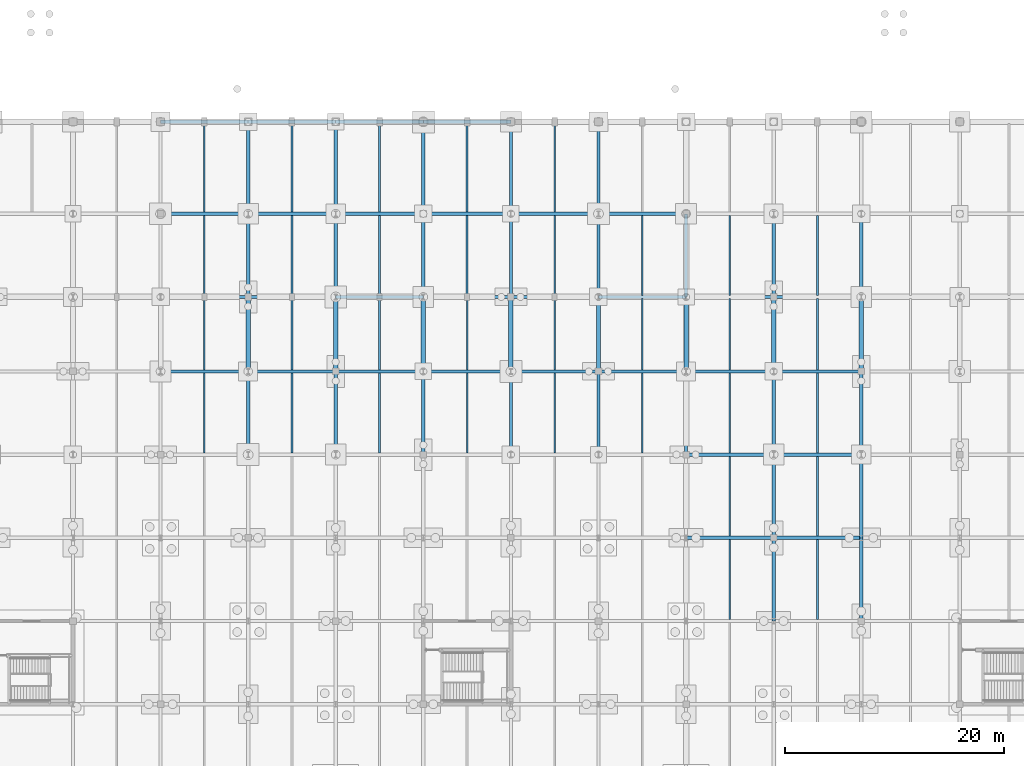
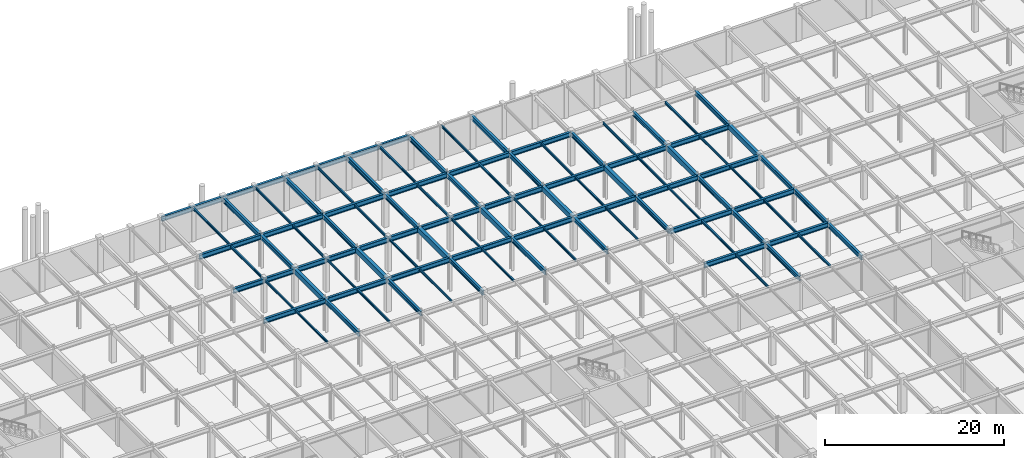
# One storey, part 34 of 53: 96 beams.
"""IFC4 building model written with IfcOpenShell, lengths in metres."""

from ifc_helpers import new_model, si_unit, direction, frame, origin, origin_2d, place, context, subcontext, project, spatial, rectangle, i_section, extrude, material, material_profile, profile_set, type_object, element, save


model = new_model("IFC4")

# Units and contexts
model_context = context("Model", 3, precision=1e-05, world=origin(), true_north=direction((0.0, 1.0)))
body_context = subcontext(model_context, "Body", "Model", "MODEL_VIEW")
ifc_project = project(units=[si_unit("LENGTHUNIT", "METRE"), si_unit("AREAUNIT", "SQUARE_METRE"), si_unit("VOLUMEUNIT", "CUBIC_METRE"), si_unit("PLANEANGLEUNIT", "RADIAN"), si_unit("MASSUNIT", "GRAM", prefix="KILO")], contexts=[model_context])

# Site, building, storey
site_placement = place(None, origin())
site = spatial("IfcSite", under=ifc_project, at=site_placement, CompositionType="ELEMENT")
building_placement = place(site_placement, origin())
building = spatial("IfcBuilding", under=site, at=building_placement, Name="Shalkamar Park Central Library", CompositionType="ELEMENT")
storey_placement = place(building_placement, frame((0.0, 0.0, -4.800048828125)))
storey = spatial("IfcBuildingStorey", under=building, at=storey_placement, Name="B1", CompositionType="ELEMENT", Elevation=-4.800048828125)

# Beams
ifc_material_1 = material(Name="Steel S355", Category="steel")
ifc_material_profile_1 = material_profile(ifc_material_1, i_section(OverallWidth=0.14990234375, OverallDepth=0.300048828125, WebThickness=0.007080078125, FlangeThickness=0.0107421875, FilletRadius=0.014892578125, at=origin_2d()), Name="IPE 300")
ifc_profile_set_1 = profile_set([ifc_material_profile_1], Name="Steel S355")
beam_type_1 = type_object("IfcBeamType", Name="Composite Floor Joist IPE300", PredefinedType="JOIST", material=ifc_profile_set_1)
beam_1_placement = place(storey_placement, frame((177.0, 323.748046875, 4.360107421875), z_axis=(0.0, 1.0, 0.0), x_axis=(-1.0, 0.0, 0.0)))
element("IfcBeam", 1, at=beam_1_placement, inside=storey, type_object=beam_type_1, Name="Composite Joist 08/M-1 (B1)", PredefinedType="JOIST", context=body_context, shape_type="SweptSolid", body=[
    extrude(i_section(OverallWidth=0.14990234375, OverallDepth=0.300048828125, WebThickness=0.007080078125, FlangeThickness=0.0107421875, FilletRadius=0.014892578125, at=origin_2d()), origin(), (0.0, 0.0, 1.0), 7.303955078125),
])
beam_2_placement = place(storey_placement, frame((177.0, 331.347900390625, 4.360107421875), z_axis=(0.0, 1.0, 0.0), x_axis=(-1.0, 0.0, 0.0)))
element("IfcBeam", 2, at=beam_2_placement, inside=storey, type_object=beam_type_1, Name="Composite Joist 08/N-1 (B1)", PredefinedType="JOIST", context=body_context, shape_type="SweptSolid", body=[
    extrude(i_section(OverallWidth=0.14990234375, OverallDepth=0.300048828125, WebThickness=0.007080078125, FlangeThickness=0.0107421875, FilletRadius=0.014892578125, at=origin_2d()), origin(), (0.0, 0.0, 1.0), 6.504150390625),
])
beam_3_placement = place(storey_placement, frame((185.0, 323.748046875, 4.360107421875), z_axis=(0.0, 1.0, 0.0), x_axis=(-1.0, 0.0, 0.0)))
element("IfcBeam", 3, at=beam_3_placement, inside=storey, type_object=beam_type_1, Name="Composite Joist 09/M-1 (B1)", PredefinedType="JOIST", context=body_context, shape_type="SweptSolid", body=[
    extrude(i_section(OverallWidth=0.14990234375, OverallDepth=0.300048828125, WebThickness=0.007080078125, FlangeThickness=0.0107421875, FilletRadius=0.014892578125, at=origin_2d()), origin(), (0.0, 0.0, 1.0), 7.303955078125),
])
beam_4_placement = place(storey_placement, frame((185.0, 331.347900390625, 4.360107421875), z_axis=(0.0, 1.0, 0.0), x_axis=(-1.0, 0.0, 0.0)))
element("IfcBeam", 4, at=beam_4_placement, inside=storey, type_object=beam_type_1, Name="Composite Joist 09/N-1 (B1)", PredefinedType="JOIST", context=body_context, shape_type="SweptSolid", body=[
    extrude(i_section(OverallWidth=0.14990234375, OverallDepth=0.300048828125, WebThickness=0.007080078125, FlangeThickness=0.0107421875, FilletRadius=0.014892578125, at=origin_2d()), origin(), (0.0, 0.0, 1.0), 6.504150390625),
])
beam_5_placement = place(storey_placement, frame((193.0, 323.748046875, 4.360107421875), z_axis=(0.0, 1.0, 0.0), x_axis=(-1.0, 0.0, 0.0)))
element("IfcBeam", 5, at=beam_5_placement, inside=storey, type_object=beam_type_1, Name="Composite Joist 10/M-1 (B1)", PredefinedType="JOIST", context=body_context, shape_type="SweptSolid", body=[
    extrude(i_section(OverallWidth=0.14990234375, OverallDepth=0.300048828125, WebThickness=0.007080078125, FlangeThickness=0.0107421875, FilletRadius=0.014892578125, at=origin_2d()), origin(), (0.0, 0.0, 1.0), 7.303955078125),
])
beam_6_placement = place(storey_placement, frame((193.0, 331.347900390625, 4.360107421875), z_axis=(0.0, 1.0, 0.0), x_axis=(-1.0, 0.0, 0.0)))
element("IfcBeam", 6, at=beam_6_placement, inside=storey, type_object=beam_type_1, Name="Composite Joist 10/N-1 (B1)", PredefinedType="JOIST", context=body_context, shape_type="SweptSolid", body=[
    extrude(i_section(OverallWidth=0.14990234375, OverallDepth=0.300048828125, WebThickness=0.007080078125, FlangeThickness=0.0107421875, FilletRadius=0.014892578125, at=origin_2d()), origin(), (0.0, 0.0, 1.0), 6.504150390625),
])
beam_7_placement = place(storey_placement, frame((201.0, 323.748046875, 4.360107421875), z_axis=(0.0, 1.0, 0.0), x_axis=(-1.0, 0.0, 0.0)))
element("IfcBeam", 7, at=beam_7_placement, inside=storey, type_object=beam_type_1, Name="Composite Joist 11/M-1 (B1)", PredefinedType="JOIST", context=body_context, shape_type="SweptSolid", body=[
    extrude(i_section(OverallWidth=0.14990234375, OverallDepth=0.300048828125, WebThickness=0.007080078125, FlangeThickness=0.0107421875, FilletRadius=0.014892578125, at=origin_2d()), origin(), (0.0, 0.0, 1.0), 7.303955078125),
])
beam_8_placement = place(storey_placement, frame((201.0, 331.347900390625, 4.360107421875), z_axis=(0.0, 1.0, 0.0), x_axis=(-1.0, 0.0, 0.0)))
element("IfcBeam", 8, at=beam_8_placement, inside=storey, type_object=beam_type_1, Name="Composite Joist 11/N-1 (B1)", PredefinedType="JOIST", context=body_context, shape_type="SweptSolid", body=[
    extrude(i_section(OverallWidth=0.14990234375, OverallDepth=0.300048828125, WebThickness=0.007080078125, FlangeThickness=0.0107421875, FilletRadius=0.014892578125, at=origin_2d()), origin(), (0.0, 0.0, 1.0), 6.504150390625),
])
beam_9_placement = place(storey_placement, frame((209.0, 323.748046875, 4.360107421875), z_axis=(0.0, 1.0, 0.0), x_axis=(-1.0, 0.0, 0.0)))
element("IfcBeam", 9, at=beam_9_placement, inside=storey, type_object=beam_type_1, Name="Composite Joist 12/M-1 (B1)", PredefinedType="JOIST", context=body_context, shape_type="SweptSolid", body=[
    extrude(i_section(OverallWidth=0.14990234375, OverallDepth=0.300048828125, WebThickness=0.007080078125, FlangeThickness=0.0107421875, FilletRadius=0.014892578125, at=origin_2d()), origin(), (0.0, 0.0, 1.0), 7.303955078125),
])
beam_10_placement = place(storey_placement, frame((209.0, 331.347900390625, 4.360107421875), z_axis=(0.0, 1.0, 0.0), x_axis=(-1.0, 0.0, 0.0)))
element("IfcBeam", 10, at=beam_10_placement, inside=storey, type_object=beam_type_1, Name="Composite Joist 12/N-1 (B1)", PredefinedType="JOIST", context=body_context, shape_type="SweptSolid", body=[
    extrude(i_section(OverallWidth=0.14990234375, OverallDepth=0.300048828125, WebThickness=0.007080078125, FlangeThickness=0.0107421875, FilletRadius=0.014892578125, at=origin_2d()), origin(), (0.0, 0.0, 1.0), 6.504150390625),
])
beam_11_placement = place(storey_placement, frame((217.0, 323.748046875, 4.360107421875), z_axis=(0.0, 1.0, 0.0), x_axis=(-1.0, 0.0, 0.0)))
element("IfcBeam", 11, at=beam_11_placement, inside=storey, type_object=beam_type_1, Name="Composite Joist 13/M-1 (B1)", PredefinedType="JOIST", context=body_context, shape_type="SweptSolid", body=[
    extrude(i_section(OverallWidth=0.14990234375, OverallDepth=0.300048828125, WebThickness=0.007080078125, FlangeThickness=0.0107421875, FilletRadius=0.014892578125, at=origin_2d()), origin(), (0.0, 0.0, 1.0), 7.303955078125),
])
beam_12_placement = place(storey_placement, frame((217.0, 331.347900390625, 4.360107421875), z_axis=(0.0, 1.0, 0.0), x_axis=(-1.0, 0.0, 0.0)))
element("IfcBeam", 12, at=beam_12_placement, inside=storey, type_object=beam_type_1, Name="Composite Joist 13/N-1 (B1)", PredefinedType="JOIST", context=body_context, shape_type="SweptSolid", body=[
    extrude(i_section(OverallWidth=0.14990234375, OverallDepth=0.300048828125, WebThickness=0.007080078125, FlangeThickness=0.0107421875, FilletRadius=0.014892578125, at=origin_2d()), origin(), (0.0, 0.0, 1.0), 6.504150390625),
])
beam_13_placement = place(storey_placement, frame((225.0, 323.748046875, 4.360107421875), z_axis=(0.0, 1.0, 0.0), x_axis=(-1.0, 0.0, 0.0)))
element("IfcBeam", 13, at=beam_13_placement, inside=storey, type_object=beam_type_1, Name="Composite Joist 14/M-1 (B1)", PredefinedType="JOIST", context=body_context, shape_type="SweptSolid", body=[
    extrude(i_section(OverallWidth=0.14990234375, OverallDepth=0.300048828125, WebThickness=0.007080078125, FlangeThickness=0.0107421875, FilletRadius=0.014892578125, at=origin_2d()), origin(), (0.0, 0.0, 1.0), 7.303955078125),
])
beam_14_placement = place(storey_placement, frame((225.0, 331.347900390625, 4.360107421875), z_axis=(0.0, 1.0, 0.0), x_axis=(-1.0, 0.0, 0.0)))
element("IfcBeam", 14, at=beam_14_placement, inside=storey, type_object=beam_type_1, Name="Composite Joist 14/N-1 (B1)", PredefinedType="JOIST", context=body_context, shape_type="SweptSolid", body=[
    extrude(i_section(OverallWidth=0.14990234375, OverallDepth=0.300048828125, WebThickness=0.007080078125, FlangeThickness=0.0107421875, FilletRadius=0.014892578125, at=origin_2d()), origin(), (0.0, 0.0, 1.0), 6.504150390625),
])
beam_15_placement = place(storey_placement, frame((233.0, 323.748046875, 4.360107421875), z_axis=(0.0, 1.0, 0.0), x_axis=(-1.0, 0.0, 0.0)))
element("IfcBeam", 15, at=beam_15_placement, inside=storey, type_object=beam_type_1, Name="Composite Joist 15/M-1 (B1)", PredefinedType="JOIST", context=body_context, shape_type="SweptSolid", body=[
    extrude(i_section(OverallWidth=0.14990234375, OverallDepth=0.300048828125, WebThickness=0.007080078125, FlangeThickness=0.0107421875, FilletRadius=0.014892578125, at=origin_2d()), origin(), (0.0, 0.0, 1.0), 7.303955078125),
])
beam_16_placement = place(storey_placement, frame((233.0, 331.347900390625, 4.360107421875), z_axis=(0.0, 1.0, 0.0), x_axis=(-1.0, 0.0, 0.0)))
element("IfcBeam", 16, at=beam_16_placement, inside=storey, type_object=beam_type_1, Name="Composite Joist 15/N-1 (B1)", PredefinedType="JOIST", context=body_context, shape_type="SweptSolid", body=[
    extrude(i_section(OverallWidth=0.14990234375, OverallDepth=0.300048828125, WebThickness=0.007080078125, FlangeThickness=0.0107421875, FilletRadius=0.014892578125, at=origin_2d()), origin(), (0.0, 0.0, 1.0), 6.504150390625),
])
ifc_material_profile_2 = material_profile(ifc_material_1, i_section(OverallWidth=0.159912109375, OverallDepth=0.330078125, WebThickness=0.007568359375, FlangeThickness=0.011474609375, FilletRadius=0.01806640625, at=origin_2d()), Name="IPE 330")
ifc_profile_set_2 = profile_set([ifc_material_profile_2], Name="Steel S355")
beam_type_2 = type_object("IfcBeamType", Name="Composite Floor Joist IPE330", PredefinedType="JOIST", material=ifc_profile_set_2)
beam_17_placement = place(storey_placement, frame((177.0, 338.14794921875, 4.344970703125), z_axis=(0.0, 1.0, 0.0), x_axis=(-1.0, 0.0, 0.0)))
element("IfcBeam", 17, at=beam_17_placement, inside=storey, type_object=beam_type_2, Name="Composite Joist 08/P-1 (B1)", PredefinedType="JOIST", context=body_context, shape_type="SweptSolid", body=[
    extrude(i_section(OverallWidth=0.159912109375, OverallDepth=0.330078125, WebThickness=0.007568359375, FlangeThickness=0.011474609375, FilletRadius=0.01806640625, at=origin_2d()), origin(), (0.0, 0.0, 1.0), 7.303955078125),
])
beam_18_placement = place(storey_placement, frame((177.0, 345.748046875, 4.455078125), z_axis=(0.0, 1.0, 0.0), x_axis=(-1.0, 0.0, 0.0)))
element("IfcBeam", 18, at=beam_18_placement, inside=storey, type_object=beam_type_2, Name="Composite Joist 08/Q-1 (B1)", PredefinedType="JOIST", context=body_context, shape_type="SweptSolid", body=[
    extrude(i_section(OverallWidth=0.159912109375, OverallDepth=0.330078125, WebThickness=0.007568359375, FlangeThickness=0.011474609375, FilletRadius=0.01806640625, at=origin_2d()), origin(), (0.0, 0.0, 1.0), 8.10400390625),
])
beam_19_placement = place(storey_placement, frame((185.0, 338.14794921875, 4.344970703125), z_axis=(0.0, 1.0, 0.0), x_axis=(-1.0, 0.0, 0.0)))
element("IfcBeam", 19, at=beam_19_placement, inside=storey, type_object=beam_type_2, Name="Composite Joist 09/P-1 (B1)", PredefinedType="JOIST", context=body_context, shape_type="SweptSolid", body=[
    extrude(i_section(OverallWidth=0.159912109375, OverallDepth=0.330078125, WebThickness=0.007568359375, FlangeThickness=0.011474609375, FilletRadius=0.01806640625, at=origin_2d()), origin(), (0.0, 0.0, 1.0), 7.303955078125),
])
beam_20_placement = place(storey_placement, frame((185.0, 345.748046875, 4.455078125), z_axis=(0.0, 1.0, 0.0), x_axis=(-1.0, 0.0, 0.0)))
element("IfcBeam", 20, at=beam_20_placement, inside=storey, type_object=beam_type_2, Name="Composite Joist 09/Q-1 (B1)", PredefinedType="JOIST", context=body_context, shape_type="SweptSolid", body=[
    extrude(i_section(OverallWidth=0.159912109375, OverallDepth=0.330078125, WebThickness=0.007568359375, FlangeThickness=0.011474609375, FilletRadius=0.01806640625, at=origin_2d()), origin(), (0.0, 0.0, 1.0), 8.10400390625),
])
beam_21_placement = place(storey_placement, frame((193.0, 338.14794921875, 4.344970703125), z_axis=(0.0, 1.0, 0.0), x_axis=(-1.0, 0.0, 0.0)))
element("IfcBeam", 21, at=beam_21_placement, inside=storey, type_object=beam_type_2, Name="Composite Joist 10/P-1 (B1)", PredefinedType="JOIST", context=body_context, shape_type="SweptSolid", body=[
    extrude(i_section(OverallWidth=0.159912109375, OverallDepth=0.330078125, WebThickness=0.007568359375, FlangeThickness=0.011474609375, FilletRadius=0.01806640625, at=origin_2d()), origin(), (0.0, 0.0, 1.0), 7.303955078125),
])
beam_22_placement = place(storey_placement, frame((193.0, 345.748046875, 4.455078125), z_axis=(0.0, 1.0, 0.0), x_axis=(-1.0, 0.0, 0.0)))
element("IfcBeam", 22, at=beam_22_placement, inside=storey, type_object=beam_type_2, Name="Composite Joist 10/Q-1 (B1)", PredefinedType="JOIST", context=body_context, shape_type="SweptSolid", body=[
    extrude(i_section(OverallWidth=0.159912109375, OverallDepth=0.330078125, WebThickness=0.007568359375, FlangeThickness=0.011474609375, FilletRadius=0.01806640625, at=origin_2d()), origin(), (0.0, 0.0, 1.0), 8.10400390625),
])
beam_23_placement = place(storey_placement, frame((201.0, 338.14794921875, 4.344970703125), z_axis=(0.0, 1.0, 0.0), x_axis=(-1.0, 0.0, 0.0)))
element("IfcBeam", 23, at=beam_23_placement, inside=storey, type_object=beam_type_2, Name="Composite Joist 11/P-1 (B1)", PredefinedType="JOIST", context=body_context, shape_type="SweptSolid", body=[
    extrude(i_section(OverallWidth=0.159912109375, OverallDepth=0.330078125, WebThickness=0.007568359375, FlangeThickness=0.011474609375, FilletRadius=0.01806640625, at=origin_2d()), origin(), (0.0, 0.0, 1.0), 7.303955078125),
])
beam_24_placement = place(storey_placement, frame((201.0, 345.748046875, 4.455078125), z_axis=(0.0, 1.0, 0.0), x_axis=(-1.0, 0.0, 0.0)))
element("IfcBeam", 24, at=beam_24_placement, inside=storey, type_object=beam_type_2, Name="Composite Joist 11/Q-1 (B1)", PredefinedType="JOIST", context=body_context, shape_type="SweptSolid", body=[
    extrude(i_section(OverallWidth=0.159912109375, OverallDepth=0.330078125, WebThickness=0.007568359375, FlangeThickness=0.011474609375, FilletRadius=0.01806640625, at=origin_2d()), origin(), (0.0, 0.0, 1.0), 8.10400390625),
])
beam_25_placement = place(storey_placement, frame((209.0, 338.14794921875, 4.344970703125), z_axis=(0.0, 1.0, 0.0), x_axis=(-1.0, 0.0, 0.0)))
element("IfcBeam", 25, at=beam_25_placement, inside=storey, type_object=beam_type_2, Name="Composite Joist 12/P-1 (B1)", PredefinedType="JOIST", context=body_context, shape_type="SweptSolid", body=[
    extrude(i_section(OverallWidth=0.159912109375, OverallDepth=0.330078125, WebThickness=0.007568359375, FlangeThickness=0.011474609375, FilletRadius=0.01806640625, at=origin_2d()), origin(), (0.0, 0.0, 1.0), 7.303955078125),
])
beam_26_placement = place(storey_placement, frame((209.0, 345.748046875, 4.455078125), z_axis=(0.0, 1.0, 0.0), x_axis=(-1.0, 0.0, 0.0)))
element("IfcBeam", 26, at=beam_26_placement, inside=storey, type_object=beam_type_2, Name="Composite Joist 12/Q-1 (B1)", PredefinedType="JOIST", context=body_context, shape_type="SweptSolid", body=[
    extrude(i_section(OverallWidth=0.159912109375, OverallDepth=0.330078125, WebThickness=0.007568359375, FlangeThickness=0.011474609375, FilletRadius=0.01806640625, at=origin_2d()), origin(), (0.0, 0.0, 1.0), 8.10400390625),
])
for number, where, z_axis, x_axis, name in (
    (27, (217.0, 338.14794921875, 4.344970703125), (0.0, 1.0, 0.0), (-1.0, 0.0, 0.0), "Composite Joist 13/P-1 (B1)"),
    (28, (225.0, 308.548095703125, 4.344970703125), (0.0, 1.0, 0.0), (-1.0, 0.0, 0.0), "Composite Joist 14/K-1 (B1)"),
    (29, (225.0, 316.14794921875, 4.344970703125), (0.0, 1.0, 0.0), (-1.0, 0.0, 0.0), "Composite Joist 14/L-1 (B1)"),
    (30, (225.0, 338.14794921875, 4.344970703125), (0.0, 1.0, 0.0), (-1.0, 0.0, 0.0), "Composite Joist 14/P-1 (B1)"),
    (31, (233.0, 308.548095703125, 4.344970703125), (0.0, 1.0, 0.0), (-1.0, 0.0, 0.0), "Composite Joist 15/K-1 (B1)"),
    (32, (233.0, 316.14794921875, 4.344970703125), (0.0, 1.0, 0.0), (-1.0, 0.0, 0.0), "Composite Joist 15/L-1 (B1)"),
    (33, (233.0, 338.14794921875, 4.344970703125), (0.0, 1.0, 0.0), (-1.0, 0.0, 0.0), "Composite Joist 15/P-1 (B1)"),
):
    element("IfcBeam", number, at=place(storey_placement, frame(where, z_axis=z_axis, x_axis=x_axis)), inside=storey, type_object=beam_type_2, Name=name, PredefinedType="JOIST", context=body_context, shape_type="SweptSolid", body=[
        extrude(i_section(OverallWidth=0.159912109375, OverallDepth=0.330078125, WebThickness=0.007568359375, FlangeThickness=0.011474609375, FilletRadius=0.01806640625, at=origin_2d()), origin(), (0.0, 0.0, 1.0), 7.303955078125),
    ])
ifc_material_profile_3 = material_profile(ifc_material_1, i_section(OverallWidth=0.300048828125, OverallDepth=0.60009765625, WebThickness=0.015380859375, FlangeThickness=0.030029296875, FilletRadius=0.027099609375, at=origin_2d()), Name="HEB 600")
ifc_profile_set_3 = profile_set([ifc_material_profile_3], Name="Steel S355")
beam_type_3 = type_object("IfcBeamType", Name="Primary Girder HEB600", PredefinedType="BEAM", material=ifc_profile_set_3)
beam_27_placement = place(storey_placement, frame((181.0, 323.60009765625, 4.2099609375), z_axis=(0.0, 1.0, 0.0), x_axis=(-1.0, 0.0, 0.0)))
element("IfcBeam", 34, at=beam_27_placement, inside=storey, type_object=beam_type_3, Name="Beam 09:M-N (B1)", PredefinedType="BEAM", context=body_context, shape_type="SweptSolid", body=[
    extrude(i_section(OverallWidth=0.300048828125, OverallDepth=0.60009765625, WebThickness=0.015380859375, FlangeThickness=0.030029296875, FilletRadius=0.027099609375, at=origin_2d()), origin(), (0.0, 0.0, 1.0), 7.599853515625),
])
beam_28_placement = place(storey_placement, frame((181.0, 338.0, 4.2099609375), z_axis=(0.0, 1.0, 0.0), x_axis=(-1.0, 0.0, 0.0)))
element("IfcBeam", 35, at=beam_28_placement, inside=storey, type_object=beam_type_3, Name="Beam 09:P-Q (B1)", PredefinedType="BEAM", context=body_context, shape_type="SweptSolid", body=[
    extrude(i_section(OverallWidth=0.300048828125, OverallDepth=0.60009765625, WebThickness=0.015380859375, FlangeThickness=0.030029296875, FilletRadius=0.027099609375, at=origin_2d()), origin(), (0.0, 0.0, 1.0), 7.60009765625),
])
beam_29_placement = place(storey_placement, frame((189.0, 323.60009765625, 4.2099609375), z_axis=(0.0, 1.0, 0.0), x_axis=(-1.0, 0.0, 0.0)))
element("IfcBeam", 36, at=beam_29_placement, inside=storey, type_object=beam_type_3, Name="Beam 10:M-N (B1)", PredefinedType="BEAM", context=body_context, shape_type="SweptSolid", body=[
    extrude(i_section(OverallWidth=0.300048828125, OverallDepth=0.60009765625, WebThickness=0.015380859375, FlangeThickness=0.030029296875, FilletRadius=0.027099609375, at=origin_2d()), origin(), (0.0, 0.0, 1.0), 7.599853515625),
])
beam_30_placement = place(storey_placement, frame((189.0, 338.0, 4.2099609375), z_axis=(0.0, 1.0, 0.0), x_axis=(-1.0, 0.0, 0.0)))
element("IfcBeam", 37, at=beam_30_placement, inside=storey, type_object=beam_type_3, Name="Beam 10:P-Q (B1)", PredefinedType="BEAM", context=body_context, shape_type="SweptSolid", body=[
    extrude(i_section(OverallWidth=0.300048828125, OverallDepth=0.60009765625, WebThickness=0.015380859375, FlangeThickness=0.030029296875, FilletRadius=0.027099609375, at=origin_2d()), origin(), (0.0, 0.0, 1.0), 7.60009765625),
])
beam_31_placement = place(storey_placement, frame((197.0, 323.60009765625, 4.2099609375), z_axis=(0.0, 1.0, 0.0), x_axis=(-1.0, 0.0, 0.0)))
element("IfcBeam", 38, at=beam_31_placement, inside=storey, type_object=beam_type_3, Name="Beam 11:M-N (B1)", PredefinedType="BEAM", context=body_context, shape_type="SweptSolid", body=[
    extrude(i_section(OverallWidth=0.300048828125, OverallDepth=0.60009765625, WebThickness=0.015380859375, FlangeThickness=0.030029296875, FilletRadius=0.027099609375, at=origin_2d()), origin(), (0.0, 0.0, 1.0), 7.599853515625),
])
beam_32_placement = place(storey_placement, frame((197.0, 338.0, 4.2099609375), z_axis=(0.0, 1.0, 0.0), x_axis=(-1.0, 0.0, 0.0)))
element("IfcBeam", 39, at=beam_32_placement, inside=storey, type_object=beam_type_3, Name="Beam 11:P-Q (B1)", PredefinedType="BEAM", context=body_context, shape_type="SweptSolid", body=[
    extrude(i_section(OverallWidth=0.300048828125, OverallDepth=0.60009765625, WebThickness=0.015380859375, FlangeThickness=0.030029296875, FilletRadius=0.027099609375, at=origin_2d()), origin(), (0.0, 0.0, 1.0), 7.60009765625),
])
beam_33_placement = place(storey_placement, frame((205.0, 323.60009765625, 4.2099609375), z_axis=(0.0, 1.0, 0.0), x_axis=(-1.0, 0.0, 0.0)))
element("IfcBeam", 40, at=beam_33_placement, inside=storey, type_object=beam_type_3, Name="Beam 12:M-N (B1)", PredefinedType="BEAM", context=body_context, shape_type="SweptSolid", body=[
    extrude(i_section(OverallWidth=0.300048828125, OverallDepth=0.60009765625, WebThickness=0.015380859375, FlangeThickness=0.030029296875, FilletRadius=0.027099609375, at=origin_2d()), origin(), (0.0, 0.0, 1.0), 7.599853515625),
])
beam_34_placement = place(storey_placement, frame((205.0, 338.0, 4.2099609375), z_axis=(0.0, 1.0, 0.0), x_axis=(-1.0, 0.0, 0.0)))
element("IfcBeam", 41, at=beam_34_placement, inside=storey, type_object=beam_type_3, Name="Beam 12:P-Q (B1)", PredefinedType="BEAM", context=body_context, shape_type="SweptSolid", body=[
    extrude(i_section(OverallWidth=0.300048828125, OverallDepth=0.60009765625, WebThickness=0.015380859375, FlangeThickness=0.030029296875, FilletRadius=0.027099609375, at=origin_2d()), origin(), (0.0, 0.0, 1.0), 7.60009765625),
])
beam_35_placement = place(storey_placement, frame((213.0, 323.60009765625, 4.2099609375), z_axis=(0.0, 1.0, 0.0), x_axis=(-1.0, 0.0, 0.0)))
element("IfcBeam", 42, at=beam_35_placement, inside=storey, type_object=beam_type_3, Name="Beam 13:M-N (B1)", PredefinedType="BEAM", context=body_context, shape_type="SweptSolid", body=[
    extrude(i_section(OverallWidth=0.300048828125, OverallDepth=0.60009765625, WebThickness=0.015380859375, FlangeThickness=0.030029296875, FilletRadius=0.027099609375, at=origin_2d()), origin(), (0.0, 0.0, 1.0), 7.599853515625),
])
beam_36_placement = place(storey_placement, frame((213.0, 338.0, 4.2099609375), z_axis=(0.0, 1.0, 0.0), x_axis=(-1.0, 0.0, 0.0)))
element("IfcBeam", 43, at=beam_36_placement, inside=storey, type_object=beam_type_3, Name="Beam 13:P-Q (B1)", PredefinedType="BEAM", context=body_context, shape_type="SweptSolid", body=[
    extrude(i_section(OverallWidth=0.300048828125, OverallDepth=0.60009765625, WebThickness=0.015380859375, FlangeThickness=0.030029296875, FilletRadius=0.027099609375, at=origin_2d()), origin(), (0.0, 0.0, 1.0), 7.60009765625),
])
beam_37_placement = place(storey_placement, frame((221.0, 323.60009765625, 4.2099609375), z_axis=(0.0, 1.0, 0.0), x_axis=(-1.0, 0.0, 0.0)))
element("IfcBeam", 44, at=beam_37_placement, inside=storey, type_object=beam_type_3, Name="Beam 14:M-N (B1)", PredefinedType="BEAM", context=body_context, shape_type="SweptSolid", body=[
    extrude(i_section(OverallWidth=0.300048828125, OverallDepth=0.60009765625, WebThickness=0.015380859375, FlangeThickness=0.030029296875, FilletRadius=0.027099609375, at=origin_2d()), origin(), (0.0, 0.0, 1.0), 7.599853515625),
])
for number, where, z_axis, x_axis, name in (
    (45, (221.0, 338.0, 4.2099609375), (0.0, 1.0, 0.0), (-1.0, 0.0, 0.0), "Beam 14:P-Q (B1)"),
    (46, (229.0, 308.39990234375, 4.2099609375), (0.0, 1.0, 0.0), (-1.0, 0.0, 0.0), "Beam 15:K-L (B1)"),
    (47, (229.0, 316.0, 4.2099609375), (0.0, 1.0, 0.0), (-1.0, 0.0, 0.0), "Beam 15:L-M (B1)"),
):
    element("IfcBeam", number, at=place(storey_placement, frame(where, z_axis=z_axis, x_axis=x_axis)), inside=storey, type_object=beam_type_3, Name=name, PredefinedType="BEAM", context=body_context, shape_type="SweptSolid", body=[
        extrude(i_section(OverallWidth=0.300048828125, OverallDepth=0.60009765625, WebThickness=0.015380859375, FlangeThickness=0.030029296875, FilletRadius=0.027099609375, at=origin_2d()), origin(), (0.0, 0.0, 1.0), 7.60009765625),
    ])
beam_38_placement = place(storey_placement, frame((229.0, 323.60009765625, 4.2099609375), z_axis=(0.0, 1.0, 0.0), x_axis=(-1.0, 0.0, 0.0)))
element("IfcBeam", 48, at=beam_38_placement, inside=storey, type_object=beam_type_3, Name="Beam 15:M-N (B1)", PredefinedType="BEAM", context=body_context, shape_type="SweptSolid", body=[
    extrude(i_section(OverallWidth=0.300048828125, OverallDepth=0.60009765625, WebThickness=0.015380859375, FlangeThickness=0.030029296875, FilletRadius=0.027099609375, at=origin_2d()), origin(), (0.0, 0.0, 1.0), 7.599853515625),
])
for number, where, z_axis, x_axis, name in (
    (49, (229.0, 338.0, 4.2099609375), (0.0, 1.0, 0.0), (-1.0, 0.0, 0.0), "Beam 15:P-Q (B1)"),
    (50, (237.0, 308.39990234375, 4.2099609375), (0.0, 1.0, 0.0), (-1.0, 0.0, 0.0), "Beam 16:K-L (B1)"),
    (51, (237.0, 316.0, 4.2099609375), (0.0, 1.0, 0.0), (-1.0, 0.0, 0.0), "Beam 16:L-M (B1)"),
):
    element("IfcBeam", number, at=place(storey_placement, frame(where, z_axis=z_axis, x_axis=x_axis)), inside=storey, type_object=beam_type_3, Name=name, PredefinedType="BEAM", context=body_context, shape_type="SweptSolid", body=[
        extrude(i_section(OverallWidth=0.300048828125, OverallDepth=0.60009765625, WebThickness=0.015380859375, FlangeThickness=0.030029296875, FilletRadius=0.027099609375, at=origin_2d()), origin(), (0.0, 0.0, 1.0), 7.60009765625),
    ])
beam_39_placement = place(storey_placement, frame((237.0, 323.60009765625, 4.2099609375), z_axis=(0.0, 1.0, 0.0), x_axis=(-1.0, 0.0, 0.0)))
element("IfcBeam", 52, at=beam_39_placement, inside=storey, type_object=beam_type_3, Name="Beam 16:M-N (B1)", PredefinedType="BEAM", context=body_context, shape_type="SweptSolid", body=[
    extrude(i_section(OverallWidth=0.300048828125, OverallDepth=0.60009765625, WebThickness=0.015380859375, FlangeThickness=0.030029296875, FilletRadius=0.027099609375, at=origin_2d()), origin(), (0.0, 0.0, 1.0), 7.599853515625),
])
beam_40_placement = place(storey_placement, frame((237.0, 338.0, 4.2099609375), z_axis=(0.0, 1.0, 0.0), x_axis=(-1.0, 0.0, 0.0)))
element("IfcBeam", 53, at=beam_40_placement, inside=storey, type_object=beam_type_3, Name="Beam 16:P-Q (B1)", PredefinedType="BEAM", context=body_context, shape_type="SweptSolid", body=[
    extrude(i_section(OverallWidth=0.300048828125, OverallDepth=0.60009765625, WebThickness=0.015380859375, FlangeThickness=0.030029296875, FilletRadius=0.027099609375, at=origin_2d()), origin(), (0.0, 0.0, 1.0), 7.60009765625),
])
ifc_material_profile_4 = material_profile(ifc_material_1, i_section(OverallWidth=0.300048828125, OverallDepth=0.64990234375, WebThickness=0.01611328125, FlangeThickness=0.031005859375, FilletRadius=0.027099609375, at=origin_2d()), Name="HEB 650")
ifc_profile_set_4 = profile_set([ifc_material_profile_4], Name="Steel S355")
beam_type_4 = type_object("IfcBeamType", Name="Primary Girder HEB650", PredefinedType="BEAM", material=ifc_profile_set_4)
for number, where, z_axis, x_axis, name in (
    (54, (221.0, 316.0, 4.18505859375), (1.0, 0.0, 0.0), (0.0, 1.0, 0.0), "Beam L:14-15 (B1)"),
    (55, (229.0, 316.0, 4.18505859375), (1.0, 0.0, 0.0), (0.0, 1.0, 0.0), "Beam L:15-16 (B1)"),
    (56, (221.0, 323.60009765625, 4.18505859375), (1.0, 0.0, 0.0), (0.0, 1.0, 0.0), "Beam M:14-15 (B1)"),
    (57, (229.0, 323.60009765625, 4.18505859375), (1.0, 0.0, 0.0), (0.0, 1.0, 0.0), "Beam M:15-16 (B1)"),
    (58, (173.0, 331.199951171875, 4.18505859375), (1.0, 0.0, 0.0), (0.0, 1.0, 0.0), "Beam N:08-09 (B1)"),
    (59, (181.0, 331.199951171875, 4.18505859375), (1.0, 0.0, 0.0), (0.0, 1.0, 0.0), "Beam N:09-10 (B1)"),
    (60, (189.0, 331.199951171875, 4.18505859375), (1.0, 0.0, 0.0), (0.0, 1.0, 0.0), "Beam N:10-11 (B1)"),
    (61, (197.0, 331.199951171875, 4.18505859375), (1.0, 0.0, 0.0), (0.0, 1.0, 0.0), "Beam N:11-12 (B1)"),
    (62, (205.0, 331.199951171875, 4.18505859375), (1.0, 0.0, 0.0), (0.0, 1.0, 0.0), "Beam N:12-13 (B1)"),
    (63, (213.0, 331.199951171875, 4.18505859375), (1.0, 0.0, 0.0), (0.0, 1.0, 0.0), "Beam N:13-14 (B1)"),
    (64, (221.0, 331.199951171875, 4.18505859375), (1.0, 0.0, 0.0), (0.0, 1.0, 0.0), "Beam N:14-15 (B1)"),
    (65, (229.0, 331.199951171875, 4.18505859375), (1.0, 0.0, 0.0), (0.0, 1.0, 0.0), "Beam N:15-16 (B1)"),
    (66, (173.0, 338.0, 4.18505859375), (1.0, 0.0, 0.0), (0.0, 1.0, 0.0), "Beam P:08-09 (B1)"),
    (67, (181.0, 338.0, 4.18505859375), (1.0, 0.0, 0.0), (0.0, 1.0, 0.0), "Beam P:09-10 (B1)"),
    (68, (189.0, 338.0, 4.18505859375), (1.0, 0.0, 0.0), (0.0, 1.0, 0.0), "Beam P:10-11 (B1)"),
    (69, (197.0, 338.0, 4.18505859375), (1.0, 0.0, 0.0), (0.0, 1.0, 0.0), "Beam P:11-12 (B1)"),
    (70, (205.0, 338.0, 4.18505859375), (1.0, 0.0, 0.0), (0.0, 1.0, 0.0), "Beam P:12-13 (B1)"),
    (71, (213.0, 338.0, 4.18505859375), (1.0, 0.0, 0.0), (0.0, 1.0, 0.0), "Beam P:13-14 (B1)"),
    (72, (221.0, 338.0, 4.18505859375), (1.0, 0.0, 0.0), (0.0, 1.0, 0.0), "Beam P:14-15 (B1)"),
    (73, (229.0, 338.0, 4.18505859375), (1.0, 0.0, 0.0), (0.0, 1.0, 0.0), "Beam P:15-16 (B1)"),
    (74, (173.0, 345.60009765625, 4.18505859375), (1.0, 0.0, 0.0), (0.0, 1.0, 0.0), "Beam Q:08-09 (B1)"),
    (75, (181.0, 345.60009765625, 4.18505859375), (1.0, 0.0, 0.0), (0.0, 1.0, 0.0), "Beam Q:09-10 (B1)"),
    (76, (189.0, 345.60009765625, 4.18505859375), (1.0, 0.0, 0.0), (0.0, 1.0, 0.0), "Beam Q:10-11 (B1)"),
    (77, (197.0, 345.60009765625, 4.18505859375), (1.0, 0.0, 0.0), (0.0, 1.0, 0.0), "Beam Q:11-12 (B1)"),
    (78, (205.0, 345.60009765625, 4.18505859375), (1.0, 0.0, 0.0), (0.0, 1.0, 0.0), "Beam Q:12-13 (B1)"),
    (79, (213.0, 345.60009765625, 4.18505859375), (1.0, 0.0, 0.0), (0.0, 1.0, 0.0), "Beam Q:13-14 (B1)"),
    (80, (173.0, 354.0, 4.295166015625), (1.0, 0.0, 0.0), (0.0, 1.0, 0.0), "Beam R:08-09 (B1)"),
    (81, (181.0, 354.0, 4.295166015625), (1.0, 0.0, 0.0), (0.0, 1.0, 0.0), "Beam R:09-10 (B1)"),
    (82, (189.0, 354.0, 4.295166015625), (1.0, 0.0, 0.0), (0.0, 1.0, 0.0), "Beam R:10-11 (B1)"),
    (83, (197.0, 354.0, 4.295166015625), (1.0, 0.0, 0.0), (0.0, 1.0, 0.0), "Beam R:11-12 (B1)"),
):
    element("IfcBeam", number, at=place(storey_placement, frame(where, z_axis=z_axis, x_axis=x_axis)), inside=storey, type_object=beam_type_4, Name=name, PredefinedType="BEAM", context=body_context, shape_type="SweptSolid", body=[
        extrude(i_section(OverallWidth=0.300048828125, OverallDepth=0.64990234375, WebThickness=0.01611328125, FlangeThickness=0.031005859375, FilletRadius=0.027099609375, at=origin_2d()), origin(), (0.0, 0.0, 1.0), 8.0),
    ])
for number, where, z_axis, x_axis, name in (
    (84, (181.0, 345.60009765625, 4.18505859375), (0.0, 1.0, 0.0), (-1.0, 0.0, 0.0), "Beam 09:Q-R (B1)"),
    (85, (189.0, 345.60009765625, 4.18505859375), (0.0, 1.0, 0.0), (-1.0, 0.0, 0.0), "Beam 10:Q-R (B1)"),
    (86, (197.0, 345.60009765625, 4.18505859375), (0.0, 1.0, 0.0), (-1.0, 0.0, 0.0), "Beam 11:Q-R (B1)"),
    (87, (205.0, 345.60009765625, 4.18505859375), (0.0, 1.0, 0.0), (-1.0, 0.0, 0.0), "Beam 12:Q-R (B1)"),
    (88, (213.0, 345.60009765625, 4.18505859375), (0.0, 1.0, 0.0), (-1.0, 0.0, 0.0), "Beam 13:Q-R (B1)"),
):
    element("IfcBeam", number, at=place(storey_placement, frame(where, z_axis=z_axis, x_axis=x_axis)), inside=storey, type_object=beam_type_4, Name=name, PredefinedType="BEAM", context=body_context, shape_type="SweptSolid", body=[
        extrude(i_section(OverallWidth=0.300048828125, OverallDepth=0.64990234375, WebThickness=0.01611328125, FlangeThickness=0.031005859375, FilletRadius=0.027099609375, at=origin_2d()), origin(), (0.0, 0.0, 1.0), 8.39990234375),
    ])
ifc_material_2 = material(Name="Concrete C35/45", Category="concrete")
ifc_material_profile_5 = material_profile(ifc_material_2, rectangle(XDim=0.39990234375, YDim=0.699951171875, at=origin_2d()), Name="RC 400x700")
ifc_profile_set_5 = profile_set([ifc_material_profile_5], Name="Concrete C35/45")
beam_type_5 = type_object("IfcBeamType", Name="Substructure Plinth Beam RC400x700", PredefinedType="BEAM", material=ifc_profile_set_5)
for number, where, z_axis, x_axis, name in (
    (89, (181.0, 331.199951171875, 4.16015625), (0.0, 1.0, 0.0), (-1.0, 0.0, 0.0), "Beam 09:N-P (B1)"),
    (90, (189.0, 331.199951171875, 4.16015625), (0.0, 1.0, 0.0), (-1.0, 0.0, 0.0), "Beam 10:N-P (B1)"),
    (91, (197.0, 331.199951171875, 4.16015625), (0.0, 1.0, 0.0), (-1.0, 0.0, 0.0), "Beam 11:N-P (B1)"),
    (92, (205.0, 331.199951171875, 4.16015625), (0.0, 1.0, 0.0), (-1.0, 0.0, 0.0), "Beam 12:N-P (B1)"),
    (93, (213.0, 331.199951171875, 4.16015625), (0.0, 1.0, 0.0), (-1.0, 0.0, 0.0), "Beam 13:N-P (B1)"),
    (94, (221.0, 331.199951171875, 4.16015625), (0.0, 1.0, 0.0), (-1.0, 0.0, 0.0), "Beam 14:N-P (B1)"),
    (95, (229.0, 331.199951171875, 4.16015625), (0.0, 1.0, 0.0), (-1.0, 0.0, 0.0), "Beam 15:N-P (B1)"),
    (96, (237.0, 331.199951171875, 4.16015625), (0.0, 1.0, 0.0), (-1.0, 0.0, 0.0), "Beam 16:N-P (B1)"),
):
    element("IfcBeam", number, at=place(storey_placement, frame(where, z_axis=z_axis, x_axis=x_axis)), inside=storey, type_object=beam_type_5, Name=name, PredefinedType="BEAM", context=body_context, shape_type="SweptSolid", body=[
        extrude(rectangle(XDim=0.39990234375, YDim=0.699951171875, at=origin_2d()), origin(), (0.0, 0.0, 1.0), 6.800048828125),
    ])

save(model, "model.ifc")
